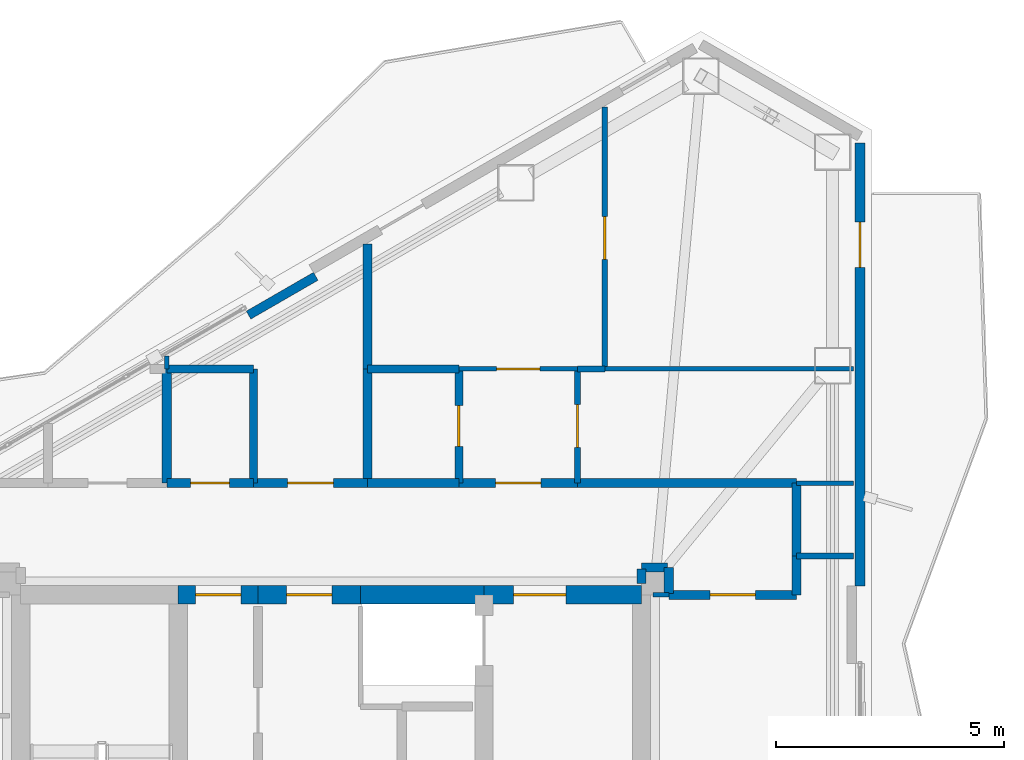
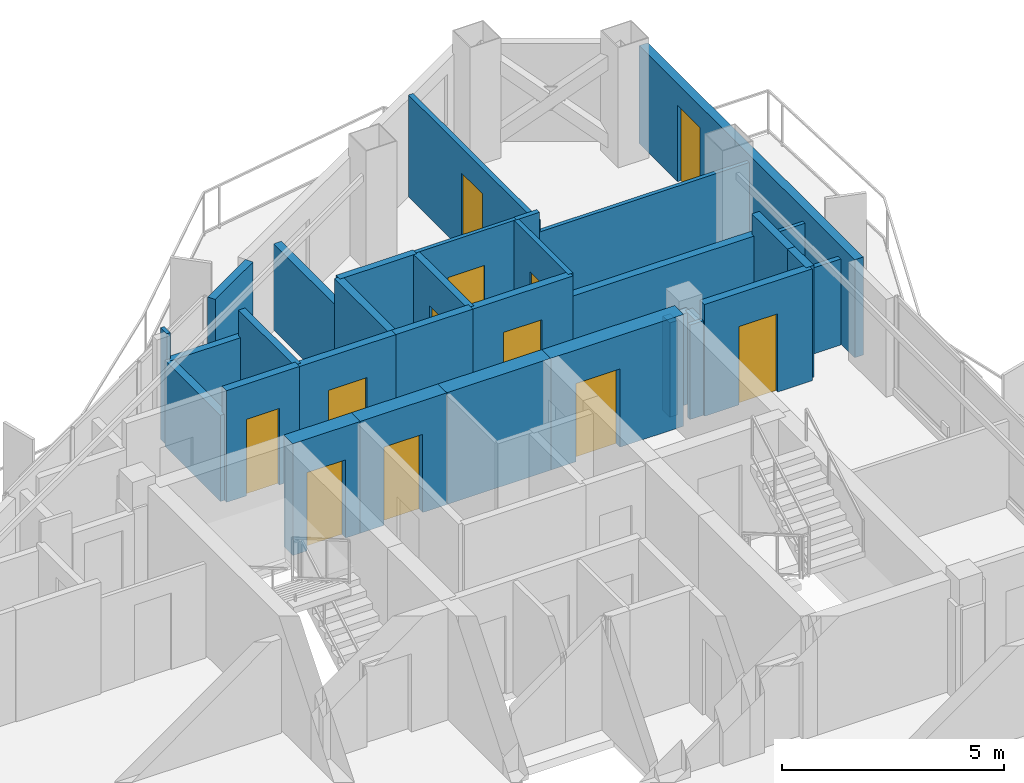
# One storey, part 19 of 22: 33 walls, 12 doors, 12 openings.
"""IFC4 building model written with IfcOpenShell, lengths in metres."""

from ifc_helpers import new_model, si_unit, direction, frame, frame_2d, origin, place, context, subcontext, project, spatial, rectangle, extrude, material, layer, layer_set, type_object, element, fill, save


model = new_model("IFC4")

# Units and contexts
model_context = context("Model", 3, precision=1e-05, world=origin(), true_north=direction((0.0, 1.0)))
body_context = subcontext(model_context, "Body", "Model", "MODEL_VIEW")
ifc_project = project(units=[si_unit("LENGTHUNIT", "METRE"), si_unit("AREAUNIT", "SQUARE_METRE"), si_unit("VOLUMEUNIT", "CUBIC_METRE"), si_unit("PLANEANGLEUNIT", "RADIAN"), si_unit("MASSUNIT", "GRAM", prefix="KILO")], contexts=[model_context])

# Site, building, storey
site_placement = place(None, origin())
site = spatial("IfcSite", under=ifc_project, at=site_placement, CompositionType="ELEMENT")
building_placement = place(site_placement, origin())
building = spatial("IfcBuilding", under=site, at=building_placement, Name="Mersakhor Tower and Convention Hall", CompositionType="ELEMENT")
storey_placement = place(building_placement, frame((0.0, 0.0, 195.300048828125)))
storey = spatial("IfcBuildingStorey", under=building, at=storey_placement, Name="L54", CompositionType="ELEMENT", Elevation=195.300048828125)

# Wall, opening, door
ifc_material_1 = material(Name="Precast concrete C40/50", Category="concrete")
ifc_layer_1 = layer(ifc_material_1, 0.22509765625)
ifc_layer_set_1 = layer_set([ifc_layer_1], Name="Precast concrete C40/50")
wall_type_1 = type_object("IfcWallType", Name="WL-EXT-225", PredefinedType="SOLIDWALL", material=ifc_layer_set_1)
wall_1_placement = place(storey_placement, frame((40.58837890625, 42.6484375, 0.0), z_axis=(0.0, 0.0, 1.0), x_axis=(0.0, -1.0, 0.0)))
wall_1 = element("IfcWall", 1, at=wall_1_placement, inside=storey, type_object=wall_type_1, Name="L54 Exterior Facade Wall F2-B1", PredefinedType="SOLIDWALL", context=body_context, shape_type="SweptSolid", body=[
    extrude(rectangle(XDim=9.698974609375, YDim=0.22509765625, at=frame_2d((4.849609375, 0.0))), origin(), (0.0, 0.0, 1.0), 2.68994140625),
])
opening_1_placement = place(wall_1_placement, frame((1.72998046875, 0.0, 0.0)))
opening_1 = element("IfcOpeningElement", 2, at=opening_1_placement, cuts=wall_1, Name="Opening BD-01", PredefinedType="OPENING", context=body_context, shape_type="SweptSolid", body=[
    extrude(rectangle(XDim=1.0, YDim=2.10009765625, at=frame_2d((0.5, 1.050048828125))), frame((0.0, 0.12255859375, 0.0), z_axis=(0.0, -1.0, 0.0), x_axis=(1.0, 0.0, 0.0)), (0.0, 0.0, 1.0), 0.2451171875),
])
ifc_material_2 = material(Name="Thermally broken dark aluminium and safety glass", Category="aluminium")
door_type_1 = type_object("IfcDoorType", Name="DR-BAL-100x210", OperationType="NOTDEFINED", PredefinedType="DOOR", material=ifc_material_2)
door_1_placement = place(opening_1_placement, origin())
door_1 = element("IfcDoor", 3, at=door_1_placement, inside=storey, type_object=door_type_1, Name="L54 Balcony Terrace Door F2-B1", OperationType="SINGLE_SWING_LEFT", OverallHeight=2.10009765625, OverallWidth=1.0, PredefinedType="DOOR", context=body_context, shape_type="SweptSolid", body=[
    extrude(rectangle(XDim=1.0, YDim=2.10009765625, at=frame_2d((0.5, 1.050048828125))), frame((0.0, 0.02490234375, 0.0), z_axis=(0.0, -1.0, 0.0), x_axis=(1.0, 0.0, 0.0)), (0.0, 0.0, 1.0), 0.050048828125),
])
fill(opening_1, door_1)

# Wall
ifc_material_3 = material(Name="Precast concrete C40/50", Category="concrete")
ifc_layer_2 = layer(ifc_material_3, 0.199951171875)
ifc_layer_set_2 = layer_set([ifc_layer_2], Name="Precast concrete C40/50")
wall_type_2 = type_object("IfcWallType", Name="WL-PAR-200", PredefinedType="PARAPET", material=ifc_layer_set_2)
wall_2_placement = place(storey_placement, frame((27.1923828125, 38.879638671875, 0.0), z_axis=(0.0, 0.0, 1.0), x_axis=(0.866025371046, 0.500000056704, 0.0)))
element("IfcWall", 4, at=wall_2_placement, inside=storey, type_object=wall_type_2, Name="L54 Column Pier Cladding Wall F1-C2", PredefinedType="PARAPET", context=body_context, shape_type="SweptSolid", body=[
    extrude(rectangle(XDim=1.7001953125, YDim=0.199951171875, at=frame_2d((0.85009765625, 0.0))), origin(), (0.0, 0.0, 1.0), 2.68994140625),
])

# Wall, opening, door
ifc_material_4 = material(Name="Moisture-resistant acoustic drywall studwork", Category="other")
ifc_layer_3 = layer(ifc_material_4, 0.175048828125)
ifc_layer_set_3 = layer_set([ifc_layer_3], Name="Moisture-resistant acoustic drywall studwork")
wall_type_3 = type_object("IfcWallType", Name="WL-PLM-175", PredefinedType="PLUMBINGWALL", material=ifc_layer_set_3)
wall_3_placement = place(storey_placement, frame((31.800048828125, 35.199951171875, 0.0), z_axis=(0.0, 0.0, 1.0), x_axis=(0.0, 1.0, 0.0)))
wall_3 = element("IfcWall", 5, at=wall_3_placement, inside=storey, type_object=wall_type_3, Name="L54 Interior Partition Wall P-052", PredefinedType="PLUMBINGWALL", context=body_context, shape_type="SweptSolid", body=[
    extrude(rectangle(XDim=2.5, YDim=0.175048828125, at=frame_2d((1.25, 0.0))), origin(), (0.0, 0.0, 1.0), 3.070068359375),
])
opening_2_placement = place(wall_3_placement, frame((0.800048828125, 0.0, 0.0)))
opening_2 = element("IfcOpeningElement", 6, at=opening_2_placement, cuts=wall_3, Name="Opening WD-01", PredefinedType="OPENING", context=body_context, shape_type="SweptSolid", body=[
    extrude(rectangle(XDim=0.89990234375, YDim=2.10009765625, at=frame_2d((0.449951171875, 1.050048828125))), frame((0.0, 0.097412109375, 0.0), z_axis=(0.0, -1.0, 0.0), x_axis=(1.0, 0.0, 0.0)), (0.0, 0.0, 1.0), 0.195068359375),
])
ifc_material_5 = material(Name="Solid-core hardwood leaf in painted steel frame", Category="steel")
door_type_2 = type_object("IfcDoorType", Name="DR-INT-WET-090x210", OperationType="NOTDEFINED", PredefinedType="DOOR", material=ifc_material_5)
door_2_placement = place(opening_2_placement, origin())
door_2 = element("IfcDoor", 7, at=door_2_placement, inside=storey, type_object=door_type_2, Name="L54 L54 Flat N2 Apartment Hall to L54 Flat N2 Bathroom Door", OperationType="SINGLE_SWING_LEFT", OverallHeight=2.10009765625, OverallWidth=0.89990234375, PredefinedType="DOOR", context=body_context, shape_type="SweptSolid", body=[
    extrude(rectangle(XDim=0.89990234375, YDim=2.10009765625, at=frame_2d((0.449951171875, 1.050048828125))), frame((0.0, 0.02490234375, 0.0), z_axis=(0.0, -1.0, 0.0), x_axis=(1.0, 0.0, 0.0)), (0.0, 0.0, 1.0), 0.050048828125),
])
fill(opening_2, door_2)

# Walls
wall_4_placement = place(storey_placement, frame((25.39990234375, 37.699951171875, 0.0), z_axis=(0.0, 0.0, 1.0), x_axis=(1.0, 0.0, 0.0)))
element("IfcWall", 8, at=wall_4_placement, inside=storey, type_object=wall_type_3, Name="L54 Interior Partition Wall P-063", PredefinedType="PLUMBINGWALL", context=body_context, shape_type="SweptSolid", body=[
    extrude(rectangle(XDim=1.900146484375, YDim=0.175048828125, at=frame_2d((0.9501953125, 0.0))), origin(), (0.0, 0.0, 1.0), 2.364990234375),
])
wall_5_placement = place(storey_placement, frame((27.300048828125, 37.699951171875, 0.0), z_axis=(0.0, 0.0, 1.0), x_axis=(0.0, -1.0, 0.0)))
element("IfcWall", 9, at=wall_5_placement, inside=storey, type_object=wall_type_3, Name="L54 Interior Partition Wall P-064", PredefinedType="PLUMBINGWALL", context=body_context, shape_type="SweptSolid", body=[
    extrude(rectangle(XDim=2.5, YDim=0.175048828125, at=frame_2d((1.25, 0.0))), origin(), (0.0, 0.0, 1.0), 3.070068359375),
])
wall_6_placement = place(storey_placement, frame((29.800048828125, 37.699951171875, 0.0), z_axis=(0.0, 0.0, 1.0), x_axis=(1.0, 0.0, 0.0)))
element("IfcWall", 10, at=wall_6_placement, inside=storey, type_object=wall_type_3, Name="L54 Interior Partition Wall P-066", PredefinedType="PLUMBINGWALL", context=body_context, shape_type="SweptSolid", body=[
    extrude(rectangle(XDim=2.0, YDim=0.175048828125, at=frame_2d((1.0, 0.0))), origin(), (0.0, 0.0, 1.0), 3.070068359375),
])

# Wall, opening, door
ifc_material_6 = material(Name="Lightweight gypsum partition", Category="other")
ifc_layer_4 = layer(ifc_material_6, 0.10009765625)
ifc_layer_set_4 = layer_set([ifc_layer_4], Name="Lightweight gypsum partition")
wall_type_4 = type_object("IfcWallType", Name="WL-PRT-100", PredefinedType="PARTITIONING", material=ifc_layer_set_4)
wall_7_placement = place(storey_placement, frame((31.800048828125, 37.699951171875, 0.0), z_axis=(0.0, 0.0, 1.0), x_axis=(1.0, 0.0, 0.0)))
wall_7 = element("IfcWall", 11, at=wall_7_placement, inside=storey, type_object=wall_type_4, Name="L54 Interior Partition Wall P-050", PredefinedType="PARTITIONING", context=body_context, shape_type="SweptSolid", body=[
    extrude(rectangle(XDim=2.599853515625, YDim=0.10009765625, at=frame_2d((1.2998046875, 0.0))), origin(), (0.0, 0.0, 1.0), 3.070068359375),
])
opening_3_placement = place(wall_7_placement, frame((0.824951171875, 0.0, 0.0)))
opening_3 = element("IfcOpeningElement", 12, at=opening_3_placement, cuts=wall_7, Name="Opening RD-01", PredefinedType="OPENING", context=body_context, shape_type="SweptSolid", body=[
    extrude(rectangle(XDim=0.949951171875, YDim=2.10009765625, at=frame_2d((0.47509765625, 1.050048828125))), frame((0.0, 0.06005859375, 0.0), z_axis=(0.0, -1.0, 0.0), x_axis=(1.0, 0.0, 0.0)), (0.0, 0.0, 1.0), 0.1201171875),
])
ifc_material_7 = material(Name="Solid-core hardwood leaf in painted steel frame", Category="steel")
door_type_3 = type_object("IfcDoorType", Name="DR-INT-RM-095x210", OperationType="NOTDEFINED", PredefinedType="DOOR", material=ifc_material_7)
door_3_placement = place(opening_3_placement, origin())
door_3 = element("IfcDoor", 13, at=door_3_placement, inside=storey, type_object=door_type_3, Name="L54 L54 Flat N2 Apartment Hall to L54 Flat N2 Living and Dining Room Door", OperationType="SINGLE_SWING_LEFT", OverallHeight=2.10009765625, OverallWidth=0.949951171875, PredefinedType="DOOR", context=body_context, shape_type="SweptSolid", body=[
    extrude(rectangle(XDim=0.949951171875, YDim=2.10009765625, at=frame_2d((0.47509765625, 1.050048828125))), frame((0.0, 0.02490234375, 0.0), z_axis=(0.0, -1.0, 0.0), x_axis=(1.0, 0.0, 0.0)), (0.0, 0.0, 1.0), 0.050048828125),
])
fill(opening_3, door_3)

# Walls
wall_8_placement = place(storey_placement, frame((40.451904296875, 35.199951171875, 0.0), z_axis=(0.0, 0.0, 1.0), x_axis=(-1.0, 0.0, 0.0)))
element("IfcWall", 14, at=wall_8_placement, inside=storey, type_object=wall_type_4, Name="L54 Interior Partition Wall P-068", PredefinedType="PARTITIONING", context=body_context, shape_type="SweptSolid", body=[
    extrude(rectangle(XDim=1.251953125, YDim=0.10009765625, at=frame_2d((0.6259765625, 0.0))), origin(), (0.0, 0.0, 1.0), 2.364990234375),
])
wall_9_placement = place(storey_placement, frame((35.0, 37.699951171875, 0.0), z_axis=(0.0, 0.0, 1.0), x_axis=(1.0, 0.0, 0.0)))
element("IfcWall", 15, at=wall_9_placement, inside=storey, type_object=wall_type_4, Name="L54 Interior Partition Wall P-070", PredefinedType="PARTITIONING", context=body_context, shape_type="SweptSolid", body=[
    extrude(rectangle(XDim=5.451904296875, YDim=0.10009765625, at=frame_2d((2.72607421875, 0.0))), origin(), (0.0, 0.0, 1.0), 2.518310546875),
])
wall_10_placement = place(storey_placement, frame((36.050048828125, 32.75, 0.0), z_axis=(0.0, 0.0, 1.0), x_axis=(1.0, 0.0, 0.0)))
element("IfcWall", 16, at=wall_10_placement, inside=storey, type_object=wall_type_4, Name="L54 Interior Partition Wall P-090", PredefinedType="PARTITIONING", context=body_context, shape_type="SweptSolid", body=[
    extrude(rectangle(XDim=0.349853515625, YDim=0.10009765625, at=frame_2d((0.1748046875, 0.0))), origin(), (0.0, 0.0, 1.0), 2.594970703125),
])
wall_11_placement = place(storey_placement, frame((25.39990234375, 37.699951171875, 0.0), z_axis=(0.0, 0.0, 1.0), x_axis=(0.0, 1.0, 0.0)))
element("IfcWall", 17, at=wall_11_placement, inside=storey, type_object=wall_type_4, Name="L54 Interior Partition Wall P-098", PredefinedType="PARTITIONING", context=body_context, shape_type="SweptSolid", body=[
    extrude(rectangle(XDim=0.27880859375, YDim=0.10009765625, at=frame_2d((0.139404296875, 0.0))), origin(), (0.0, 0.0, 1.0), 3.070068359375),
])

# Wall, opening, door
ifc_material_8 = material(Name="Gypsum board acoustic partition", Category="other")
ifc_layer_5 = layer(ifc_material_8, 0.125)
ifc_layer_set_5 = layer_set([ifc_layer_5], Name="Gypsum board acoustic partition")
wall_type_5 = type_object("IfcWallType", Name="WL-PRT-125", PredefinedType="PARTITIONING", material=ifc_layer_set_5)
wall_12_placement = place(storey_placement, frame((34.39990234375, 37.699951171875, 0.0), z_axis=(0.0, 0.0, 1.0), x_axis=(0.0, -1.0, 0.0)))
wall_12 = element("IfcWall", 18, at=wall_12_placement, inside=storey, type_object=wall_type_5, Name="L54 Interior Partition Wall P-051", PredefinedType="PARTITIONING", context=body_context, shape_type="SweptSolid", body=[
    extrude(rectangle(XDim=2.5, YDim=0.125, at=frame_2d((1.25, 0.0))), origin(), (0.0, 0.0, 1.0), 3.070068359375),
])
opening_4_placement = place(wall_12_placement, frame((0.77490234375, 0.0, 0.0)))
opening_4 = element("IfcOpeningElement", 19, at=opening_4_placement, cuts=wall_12, Name="Opening RD-01", PredefinedType="OPENING", context=body_context, shape_type="SweptSolid", body=[
    extrude(rectangle(XDim=0.949951171875, YDim=2.10009765625, at=frame_2d((0.47509765625, 1.050048828125))), frame((0.0, 0.072509765625, 0.0), z_axis=(0.0, -1.0, 0.0), x_axis=(1.0, 0.0, 0.0)), (0.0, 0.0, 1.0), 0.14501953125),
])
door_4_placement = place(opening_4_placement, origin())
door_4 = element("IfcDoor", 20, at=door_4_placement, inside=storey, type_object=door_type_3, Name="L54 L54 Flat N2 Apartment Hall to L54 Flat N2 Kitchen Door", OperationType="SINGLE_SWING_RIGHT", OverallHeight=2.10009765625, OverallWidth=0.949951171875, PredefinedType="DOOR", context=body_context, shape_type="SweptSolid", body=[
    extrude(rectangle(XDim=0.949951171875, YDim=2.10009765625, at=frame_2d((0.47509765625, 1.050048828125))), frame((0.0, 0.02490234375, 0.0), z_axis=(0.0, -1.0, 0.0), x_axis=(1.0, 0.0, 0.0)), (0.0, 0.0, 1.0), 0.050048828125),
])
fill(opening_4, door_4)

# Walls
wall_13_placement = place(storey_placement, frame((34.39990234375, 37.699951171875, 0.0), z_axis=(0.0, 0.0, 1.0), x_axis=(1.0, 0.0, 0.0)))
element("IfcWall", 21, at=wall_13_placement, inside=storey, type_object=wall_type_5, Name="L54 Interior Partition Wall P-069", PredefinedType="PARTITIONING", context=body_context, shape_type="SweptSolid", body=[
    extrude(rectangle(XDim=0.60009765625, YDim=0.125, at=frame_2d((0.300048828125, 0.0))), origin(), (0.0, 0.0, 1.0), 3.070068359375),
])
wall_14_placement = place(storey_placement, frame((39.199951171875, 33.60009765625, 0.0), z_axis=(0.0, 0.0, 1.0), x_axis=(1.0, 0.0, 0.0)))
element("IfcWall", 22, at=wall_14_placement, inside=storey, type_object=wall_type_5, Name="L54 Interior Partition Wall P-091", PredefinedType="PARTITIONING", context=body_context, shape_type="SweptSolid", body=[
    extrude(rectangle(XDim=1.251953125, YDim=0.125, at=frame_2d((0.6259765625, 0.0))), origin(), (0.0, 0.0, 1.0), 2.364990234375),
])

# Wall, opening, door
wall_15_placement = place(storey_placement, frame((35.0, 43.4375, 0.0), z_axis=(0.0, 0.0, 1.0), x_axis=(0.0, -1.0, 0.0)))
wall_15 = element("IfcWall", 23, at=wall_15_placement, inside=storey, type_object=wall_type_5, Name="L54 Interior Partition Wall P-099", PredefinedType="PARTITIONING", context=body_context, shape_type="SweptSolid", body=[
    extrude(rectangle(XDim=5.737548828125, YDim=0.125, at=frame_2d((2.86865234375, 0.0))), origin(), (0.0, 0.0, 1.0), 2.794677734375),
])
opening_5_placement = place(wall_15_placement, frame((2.393798828125, 0.0, 0.0)))
opening_5 = element("IfcOpeningElement", 24, at=opening_5_placement, cuts=wall_15, Name="Opening RD-01", PredefinedType="OPENING", context=body_context, shape_type="SweptSolid", body=[
    extrude(rectangle(XDim=0.949951171875, YDim=2.10009765625, at=frame_2d((0.47509765625, 1.050048828125))), frame((0.0, 0.072509765625, 0.0), z_axis=(0.0, -1.0, 0.0), x_axis=(1.0, 0.0, 0.0)), (0.0, 0.0, 1.0), 0.14501953125),
])
door_5_placement = place(opening_5_placement, origin())
door_5 = element("IfcDoor", 25, at=door_5_placement, inside=storey, type_object=door_type_3, Name="L54 L54 Flat N2 Living and Dining Room to L54 Flat N2 Bedroom 1 Door", OperationType="SINGLE_SWING_RIGHT", OverallHeight=2.10009765625, OverallWidth=0.949951171875, PredefinedType="DOOR", context=body_context, shape_type="SweptSolid", body=[
    extrude(rectangle(XDim=0.949951171875, YDim=2.10009765625, at=frame_2d((0.47509765625, 1.050048828125))), frame((0.0, 0.02490234375, 0.0), z_axis=(0.0, -1.0, 0.0), x_axis=(1.0, 0.0, 0.0)), (0.0, 0.0, 1.0), 0.050048828125),
])
fill(opening_5, door_5)

# Walls
ifc_material_9 = material(Name="Acoustic concrete blockwork and gypsum board", Category="masonry")
ifc_layer_6 = layer(ifc_material_9, 0.199951171875)
ifc_layer_set_6 = layer_set([ifc_layer_6], Name="Acoustic concrete blockwork and gypsum board")
wall_type_6 = type_object("IfcWallType", Name="WL-PRT-200", PredefinedType="PARTITIONING", material=ifc_layer_set_6)
wall_16_placement = place(storey_placement, frame((39.199951171875, 35.199951171875, 0.0), z_axis=(0.0, 0.0, 1.0), x_axis=(0.0, -1.0, 0.0)))
element("IfcWall", 26, at=wall_16_placement, inside=storey, type_object=wall_type_6, Name="L54 Interior Partition Wall P-016", PredefinedType="PARTITIONING", context=body_context, shape_type="SweptSolid", body=[
    extrude(rectangle(XDim=1.599853515625, YDim=0.199951171875, at=frame_2d((0.7998046875, 0.0))), origin(), (0.0, 0.0, 1.0), 3.070068359375),
])
wall_17_placement = place(storey_placement, frame((39.199951171875, 33.60009765625, 0.0), z_axis=(0.0, 0.0, 1.0), x_axis=(0.0, -1.0, 0.0)))
element("IfcWall", 27, at=wall_17_placement, inside=storey, type_object=wall_type_6, Name="L54 Interior Partition Wall P-017", PredefinedType="PARTITIONING", context=body_context, shape_type="SweptSolid", body=[
    extrude(rectangle(XDim=0.85009765625, YDim=0.199951171875, at=frame_2d((0.425048828125, 0.0))), origin(), (0.0, 0.0, 1.0), 3.070068359375),
])

# Wall, opening, door
wall_18_placement = place(storey_placement, frame((39.199951171875, 32.75, 0.0), z_axis=(0.0, 0.0, 1.0), x_axis=(-1.0, 0.0, 0.0)))
wall_18 = element("IfcWall", 28, at=wall_18_placement, inside=storey, type_object=wall_type_6, Name="L54 Interior Partition Wall P-018", PredefinedType="PARTITIONING", context=body_context, shape_type="SweptSolid", body=[
    extrude(rectangle(XDim=2.800048828125, YDim=0.199951171875, at=frame_2d((1.39990234375, 0.0))), origin(), (0.0, 0.0, 1.0), 3.070068359375),
])
opening_6_placement = place(wall_18_placement, frame((0.89990234375, 0.0, 0.0)))
opening_6 = element("IfcOpeningElement", 29, at=opening_6_placement, cuts=wall_18, Name="Opening FD-01", PredefinedType="OPENING", context=body_context, shape_type="SweptSolid", body=[
    extrude(rectangle(XDim=1.0, YDim=2.14990234375, at=frame_2d((0.5, 1.074951171875))), frame((0.0, 0.10986328125, 0.0), z_axis=(0.0, -1.0, 0.0), x_axis=(1.0, 0.0, 0.0)), (0.0, 0.0, 1.0), 0.219970703125),
])
ifc_material_10 = material(Name="Fire-rated hardwood leaf and painted steel frame", Category="steel")
door_type_4 = type_object("IfcDoorType", Name="DR-INT-FLT-100x215", OperationType="NOTDEFINED", PredefinedType="DOOR", material=ifc_material_10)
door_6_placement = place(opening_6_placement, origin())
door_6 = element("IfcDoor", 30, at=door_6_placement, inside=storey, type_object=door_type_4, Name="L54 Residential North Gallery Corridor to L54 East Wing Sky Study Room Door", OperationType="SINGLE_SWING_RIGHT", OverallHeight=2.14990234375, OverallWidth=1.0, PredefinedType="DOOR", context=body_context, shape_type="SweptSolid", body=[
    extrude(rectangle(XDim=1.0, YDim=2.14990234375, at=frame_2d((0.5, 1.074951171875))), frame((0.0, 0.02490234375, 0.0), z_axis=(0.0, -1.0, 0.0), x_axis=(1.0, 0.0, 0.0)), (0.0, 0.0, 1.0), 0.050048828125),
])
fill(opening_6, door_6)

# Walls
for number, where, z_axis, x_axis, name in (
    (31, (36.39990234375, 32.780029296875, 0.0), (0.0, 0.0, 1.0), (0.0, 1.0, 0.0), "L54 Interior Partition Wall P-019"),
    (32, (36.3701171875, 33.35009765625, 0.0), (0.0, 0.0, 1.0), (-1.0, 0.0, 0.0), "L54 Interior Partition Wall P-020"),
):
    element("IfcWall", number, at=place(storey_placement, frame(where, z_axis=z_axis, x_axis=x_axis)), inside=storey, type_object=wall_type_6, Name=name, PredefinedType="PARTITIONING", context=body_context, shape_type="SweptSolid", body=[
        extrude(rectangle(XDim=0.570068359375, YDim=0.199951171875, at=frame_2d((0.28515625, 0.0))), origin(), (0.0, 0.0, 1.0), 2.518310546875),
    ])
wall_19_placement = place(storey_placement, frame((35.800048828125, 33.320068359375, 0.0), z_axis=(0.0, 0.0, 1.0), x_axis=(0.0, -1.0, 0.0)))
element("IfcWall", 33, at=wall_19_placement, inside=storey, type_object=wall_type_6, Name="L54 Interior Partition Wall P-021", PredefinedType="PARTITIONING", context=body_context, shape_type="SweptSolid", body=[
    extrude(rectangle(XDim=0.320068359375, YDim=0.199951171875, at=frame_2d((0.16015625, 0.0))), origin(), (0.0, 0.0, 1.0), 2.594970703125),
])

# Wall, opening, door
wall_20_placement = place(storey_placement, frame((25.39990234375, 35.199951171875, 0.0), z_axis=(0.0, 0.0, 1.0), x_axis=(1.0, 0.0, 0.0)))
wall_20 = element("IfcWall", 34, at=wall_20_placement, inside=storey, type_object=wall_type_6, Name="L54 Interior Partition Wall P-029", PredefinedType="PARTITIONING", context=body_context, shape_type="SweptSolid", body=[
    extrude(rectangle(XDim=1.900146484375, YDim=0.199951171875, at=frame_2d((0.9501953125, 0.0))), origin(), (0.0, 0.0, 1.0), 3.070068359375),
])
opening_7_placement = place(wall_20_placement, frame((0.52490234375, 0.0, 0.0)))
opening_7 = element("IfcOpeningElement", 35, at=opening_7_placement, cuts=wall_20, Name="Opening SVD-01", PredefinedType="OPENING", context=body_context, shape_type="SweptSolid", body=[
    extrude(rectangle(XDim=0.85009765625, YDim=2.10009765625, at=frame_2d((0.425048828125, 1.050048828125))), frame((0.0, 0.10986328125, 0.0), z_axis=(0.0, -1.0, 0.0), x_axis=(1.0, 0.0, 0.0)), (0.0, 0.0, 1.0), 0.219970703125),
])
ifc_material_11 = material(Name="Fire-rated hardwood leaf and painted steel frame", Category="steel")
door_type_5 = type_object("IfcDoorType", Name="DR-INT-SVC-085x210", OperationType="NOTDEFINED", PredefinedType="DOOR", material=ifc_material_11)
door_7_placement = place(opening_7_placement, origin())
door_7 = element("IfcDoor", 36, at=door_7_placement, inside=storey, type_object=door_type_5, Name="L54 Residential North Gallery Corridor to L54 Floor Shared Restroom WC 1-2 Door", OperationType="SINGLE_SWING_RIGHT", OverallHeight=2.10009765625, OverallWidth=0.85009765625, PredefinedType="DOOR", context=body_context, shape_type="SweptSolid", body=[
    extrude(rectangle(XDim=0.85009765625, YDim=2.10009765625, at=frame_2d((0.425048828125, 1.050048828125))), frame((0.0, 0.02490234375, 0.0), z_axis=(0.0, -1.0, 0.0), x_axis=(1.0, 0.0, 0.0)), (0.0, 0.0, 1.0), 0.050048828125),
])
fill(opening_7, door_7)

wall_21_placement = place(storey_placement, frame((27.300048828125, 35.199951171875, 0.0), z_axis=(0.0, 0.0, 1.0), x_axis=(1.0, 0.0, 0.0)))
wall_21 = element("IfcWall", 37, at=wall_21_placement, inside=storey, type_object=wall_type_6, Name="L54 Interior Partition Wall P-030", PredefinedType="PARTITIONING", context=body_context, shape_type="SweptSolid", body=[
    extrude(rectangle(XDim=2.5, YDim=0.199951171875, at=frame_2d((1.25, 0.0))), origin(), (0.0, 0.0, 1.0), 3.070068359375),
])
opening_8_placement = place(wall_21_placement, frame((0.75, 0.0, 0.0)))
opening_8 = element("IfcOpeningElement", 38, at=opening_8_placement, cuts=wall_21, Name="Opening FD-01", PredefinedType="OPENING", context=body_context, shape_type="SweptSolid", body=[
    extrude(rectangle(XDim=1.0, YDim=2.14990234375, at=frame_2d((0.5, 1.074951171875))), frame((0.0, 0.10986328125, 0.0), z_axis=(0.0, -1.0, 0.0), x_axis=(1.0, 0.0, 0.0)), (0.0, 0.0, 1.0), 0.219970703125),
])
door_8_placement = place(opening_8_placement, origin())
door_8 = element("IfcDoor", 39, at=door_8_placement, inside=storey, type_object=door_type_4, Name="L54 Residential North Gallery Corridor to L54 Floor Residents Study Room 1-3 Door", OperationType="SINGLE_SWING_RIGHT", OverallHeight=2.14990234375, OverallWidth=1.0, PredefinedType="DOOR", context=body_context, shape_type="SweptSolid", body=[
    extrude(rectangle(XDim=1.0, YDim=2.14990234375, at=frame_2d((0.5, 1.074951171875))), frame((0.0, 0.02490234375, 0.0), z_axis=(0.0, -1.0, 0.0), x_axis=(1.0, 0.0, 0.0)), (0.0, 0.0, 1.0), 0.050048828125),
])
fill(opening_8, door_8)

# Wall
wall_22_placement = place(storey_placement, frame((29.800048828125, 35.199951171875, 0.0), z_axis=(0.0, 0.0, 1.0), x_axis=(1.0, 0.0, 0.0)))
element("IfcWall", 40, at=wall_22_placement, inside=storey, type_object=wall_type_6, Name="L54 Interior Partition Wall P-031", PredefinedType="PARTITIONING", context=body_context, shape_type="SweptSolid", body=[
    extrude(rectangle(XDim=2.0, YDim=0.199951171875, at=frame_2d((1.0, 0.0))), origin(), (0.0, 0.0, 1.0), 3.070068359375),
])

# Wall, opening, door
wall_23_placement = place(storey_placement, frame((31.800048828125, 35.199951171875, 0.0), z_axis=(0.0, 0.0, 1.0), x_axis=(1.0, 0.0, 0.0)))
wall_23 = element("IfcWall", 41, at=wall_23_placement, inside=storey, type_object=wall_type_6, Name="L54 Interior Partition Wall P-032", PredefinedType="PARTITIONING", context=body_context, shape_type="SweptSolid", body=[
    extrude(rectangle(XDim=2.599853515625, YDim=0.199951171875, at=frame_2d((1.2998046875, 0.0))), origin(), (0.0, 0.0, 1.0), 3.070068359375),
])
opening_9_placement = place(wall_23_placement, frame((0.800048828125, 0.0, 0.0)))
opening_9 = element("IfcOpeningElement", 42, at=opening_9_placement, cuts=wall_23, Name="Opening FD-01", PredefinedType="OPENING", context=body_context, shape_type="SweptSolid", body=[
    extrude(rectangle(XDim=1.0, YDim=2.14990234375, at=frame_2d((0.5, 1.074951171875))), frame((0.0, 0.10986328125, 0.0), z_axis=(0.0, -1.0, 0.0), x_axis=(1.0, 0.0, 0.0)), (0.0, 0.0, 1.0), 0.219970703125),
])
door_9_placement = place(opening_9_placement, origin())
door_9 = element("IfcDoor", 43, at=door_9_placement, inside=storey, type_object=door_type_4, Name="L54 Apartment Entrance Door (Residential North Gallery Corridor to L54 Flat N2 Apartment Hall)", OperationType="SINGLE_SWING_RIGHT", OverallHeight=2.14990234375, OverallWidth=1.0, PredefinedType="DOOR", context=body_context, shape_type="SweptSolid", body=[
    extrude(rectangle(XDim=1.0, YDim=2.14990234375, at=frame_2d((0.5, 1.074951171875))), frame((0.0, 0.02490234375, 0.0), z_axis=(0.0, -1.0, 0.0), x_axis=(1.0, 0.0, 0.0)), (0.0, 0.0, 1.0), 0.050048828125),
])
fill(opening_9, door_9)

# Walls
wall_24_placement = place(storey_placement, frame((34.39990234375, 35.199951171875, 0.0), z_axis=(0.0, 0.0, 1.0), x_axis=(1.0, 0.0, 0.0)))
element("IfcWall", 44, at=wall_24_placement, inside=storey, type_object=wall_type_6, Name="L54 Interior Partition Wall P-033", PredefinedType="PARTITIONING", context=body_context, shape_type="SweptSolid", body=[
    extrude(rectangle(XDim=4.800048828125, YDim=0.199951171875, at=frame_2d((2.39990234375, 0.0))), origin(), (0.0, 0.0, 1.0), 2.518310546875),
])
wall_25_placement = place(storey_placement, frame((25.39990234375, 35.199951171875, 0.0), z_axis=(0.0, 0.0, 1.0), x_axis=(0.0, 1.0, 0.0)))
element("IfcWall", 45, at=wall_25_placement, inside=storey, type_object=wall_type_6, Name="L54 Interior Partition Wall P-065", PredefinedType="PARTITIONING", context=body_context, shape_type="SweptSolid", body=[
    extrude(rectangle(XDim=2.5, YDim=0.199951171875, at=frame_2d((1.25, 0.0))), origin(), (0.0, 0.0, 1.0), 2.364990234375),
])
wall_26_placement = place(storey_placement, frame((29.800048828125, 35.199951171875, 0.0), z_axis=(0.0, 0.0, 1.0), x_axis=(0.0, 1.0, 0.0)))
element("IfcWall", 46, at=wall_26_placement, inside=storey, type_object=wall_type_6, Name="L54 Interior Partition Wall P-067", PredefinedType="PARTITIONING", context=body_context, shape_type="SweptSolid", body=[
    extrude(rectangle(XDim=2.5, YDim=0.199951171875, at=frame_2d((1.25, 0.0))), origin(), (0.0, 0.0, 1.0), 3.070068359375),
])
wall_27_placement = place(storey_placement, frame((29.800048828125, 40.435302734375, 0.0), z_axis=(0.0, 0.0, 1.0), x_axis=(0.0, -1.0, 0.0)))
element("IfcWall", 47, at=wall_27_placement, inside=storey, type_object=wall_type_6, Name="L54 Interior Partition Wall P-097", PredefinedType="PARTITIONING", context=body_context, shape_type="SweptSolid", body=[
    extrude(rectangle(XDim=2.7353515625, YDim=0.199951171875, at=frame_2d((1.36767578125, 0.0))), origin(), (0.0, 0.0, 1.0), 2.364990234375),
])

# Wall, opening, door
ifc_material_12 = material(Name="Concrete C60/75", Category="concrete")
ifc_layer_7 = layer(ifc_material_12, 0.39990234375)
ifc_layer_set_7 = layer_set([ifc_layer_7], Name="Concrete C60/75")
wall_type_7 = type_object("IfcWallType", Name="WL-SHR-400", PredefinedType="SHEAR", material=ifc_layer_set_7)
wall_28_placement = place(storey_placement, frame((25.64990234375, 32.75, 0.0), z_axis=(0.0, 0.0, 1.0), x_axis=(1.0, 0.0, 0.0)))
wall_28 = element("IfcWall", 48, at=wall_28_placement, inside=storey, type_object=wall_type_7, Name="L54 Core Wall CW-N2A", PredefinedType="SHEAR", context=body_context, shape_type="SweptSolid", body=[
    extrude(rectangle(XDim=1.75, YDim=0.39990234375, at=frame_2d((0.875, 0.0))), origin(), (0.0, 0.0, 1.0), 3.070068359375),
])
opening_10_placement = place(wall_28_placement, frame((0.375, 0.0, 0.0)))
opening_10 = element("IfcOpeningElement", 49, at=opening_10_placement, cuts=wall_28, Name="Opening CFD-01", PredefinedType="OPENING", context=body_context, shape_type="SweptSolid", body=[
    extrude(rectangle(XDim=1.0, YDim=2.14990234375, at=frame_2d((0.5, 1.074951171875))), frame((0.0, 0.2099609375, 0.0), z_axis=(0.0, -1.0, 0.0), x_axis=(1.0, 0.0, 0.0)), (0.0, 0.0, 1.0), 0.419921875),
])
ifc_material_13 = material(Name="Fire-rated hardwood leaf and painted steel frame", Category="steel")
door_type_6 = type_object("IfcDoorType", Name="DR-CORE-FD-100x215", OperationType="NOTDEFINED", PredefinedType="DOOR", material=ifc_material_13)
door_10_placement = place(opening_10_placement, origin())
door_10 = element("IfcDoor", 50, at=door_10_placement, inside=storey, type_object=door_type_6, Name="L54 Lift Lobby North Corridor Door", OperationType="SINGLE_SWING_LEFT", OverallHeight=2.14990234375, OverallWidth=1.0, PredefinedType="DOOR", context=body_context, shape_type="SweptSolid", body=[
    extrude(rectangle(XDim=1.0, YDim=2.14990234375, at=frame_2d((0.5, 1.074951171875))), frame((0.0, 0.02490234375, 0.0), z_axis=(0.0, -1.0, 0.0), x_axis=(1.0, 0.0, 0.0)), (0.0, 0.0, 1.0), 0.050048828125),
])
fill(opening_10, door_10)

wall_29_placement = place(storey_placement, frame((27.39990234375, 32.75, 0.0), z_axis=(0.0, 0.0, 1.0), x_axis=(1.0, 0.0, 0.0)))
wall_29 = element("IfcWall", 51, at=wall_29_placement, inside=storey, type_object=wall_type_7, Name="L54 Core Wall CW-N2B", PredefinedType="SHEAR", context=body_context, shape_type="SweptSolid", body=[
    extrude(rectangle(XDim=2.25, YDim=0.39990234375, at=frame_2d((1.125, 0.0))), origin(), (0.0, 0.0, 1.0), 3.070068359375),
])
opening_11_placement = place(wall_29_placement, frame((0.625, 0.0, 0.0)))
opening_11 = element("IfcOpeningElement", 52, at=opening_11_placement, cuts=wall_29, Name="Opening FD-01", PredefinedType="OPENING", context=body_context, shape_type="SweptSolid", body=[
    extrude(rectangle(XDim=1.0, YDim=2.14990234375, at=frame_2d((0.5, 1.074951171875))), frame((0.0, 0.2099609375, 0.0), z_axis=(0.0, -1.0, 0.0), x_axis=(1.0, 0.0, 0.0)), (0.0, 0.0, 1.0), 0.419921875),
])
door_11_placement = place(opening_11_placement, origin())
door_11 = element("IfcDoor", 53, at=door_11_placement, inside=storey, type_object=door_type_4, Name="L54 Residential North Gallery Corridor to Quiet Core Study Room Door", OperationType="SINGLE_SWING_LEFT", OverallHeight=2.14990234375, OverallWidth=1.0, PredefinedType="DOOR", context=body_context, shape_type="SweptSolid", body=[
    extrude(rectangle(XDim=1.0, YDim=2.14990234375, at=frame_2d((0.5, 1.074951171875))), frame((0.0, 0.02490234375, 0.0), z_axis=(0.0, -1.0, 0.0), x_axis=(1.0, 0.0, 0.0)), (0.0, 0.0, 1.0), 0.050048828125),
])
fill(opening_11, door_11)

# Wall
wall_30_placement = place(storey_placement, frame((29.64990234375, 32.75, 0.0), z_axis=(0.0, 0.0, 1.0), x_axis=(1.0, 0.0, 0.0)))
element("IfcWall", 54, at=wall_30_placement, inside=storey, type_object=wall_type_7, Name="L54 Core Wall CW-N3", PredefinedType="SHEAR", context=body_context, shape_type="SweptSolid", body=[
    extrude(rectangle(XDim=2.7001953125, YDim=0.39990234375, at=frame_2d((1.35009765625, 0.0))), origin(), (0.0, 0.0, 1.0), 3.070068359375),
])

# Wall, opening, door
wall_31_placement = place(storey_placement, frame((32.35009765625, 32.75, 0.0), z_axis=(0.0, 0.0, 1.0), x_axis=(1.0, 0.0, 0.0)))
wall_31 = element("IfcWall", 55, at=wall_31_placement, inside=storey, type_object=wall_type_7, Name="L54 Core Wall CW-N4", PredefinedType="SHEAR", context=body_context, shape_type="SweptSolid", body=[
    extrude(rectangle(XDim=3.449951171875, YDim=0.39990234375, at=frame_2d((1.72509765625, 0.0))), origin(), (0.0, 0.0, 1.0), 3.070068359375),
])
opening_12_placement = place(wall_31_placement, frame((0.64990234375, 0.0, 0.0)))
opening_12 = element("IfcOpeningElement", 56, at=opening_12_placement, cuts=wall_31, Name="Opening SD-01", PredefinedType="OPENING", context=body_context, shape_type="SweptSolid", body=[
    extrude(rectangle(XDim=1.14990234375, YDim=2.14990234375, at=frame_2d((0.574951171875, 1.074951171875))), frame((0.0, 0.2099609375, 0.0), z_axis=(0.0, -1.0, 0.0), x_axis=(1.0, 0.0, 0.0)), (0.0, 0.0, 1.0), 0.419921875),
])
ifc_material_14 = material(Name="Fire-rated hardwood leaf and painted steel frame", Category="steel")
door_type_7 = type_object("IfcDoorType", Name="DR-INT-STAIR-115x215", OperationType="NOTDEFINED", PredefinedType="DOOR", material=ifc_material_14)
door_12_placement = place(opening_12_placement, origin())
door_12 = element("IfcDoor", 57, at=door_12_placement, inside=storey, type_object=door_type_7, Name="L54 Firefighting Lobby East Fire Door", OperationType="SINGLE_SWING_RIGHT", OverallHeight=2.14990234375, OverallWidth=1.14990234375, PredefinedType="DOOR", context=body_context, shape_type="SweptSolid", body=[
    extrude(rectangle(XDim=1.14990234375, YDim=2.14990234375, at=frame_2d((0.574951171875, 1.074951171875))), frame((0.0, 0.02490234375, 0.0), z_axis=(0.0, -1.0, 0.0), x_axis=(1.0, 0.0, 0.0)), (0.0, 0.0, 1.0), 0.050048828125),
])
fill(opening_12, door_12)

save(model, "model.ifc")
